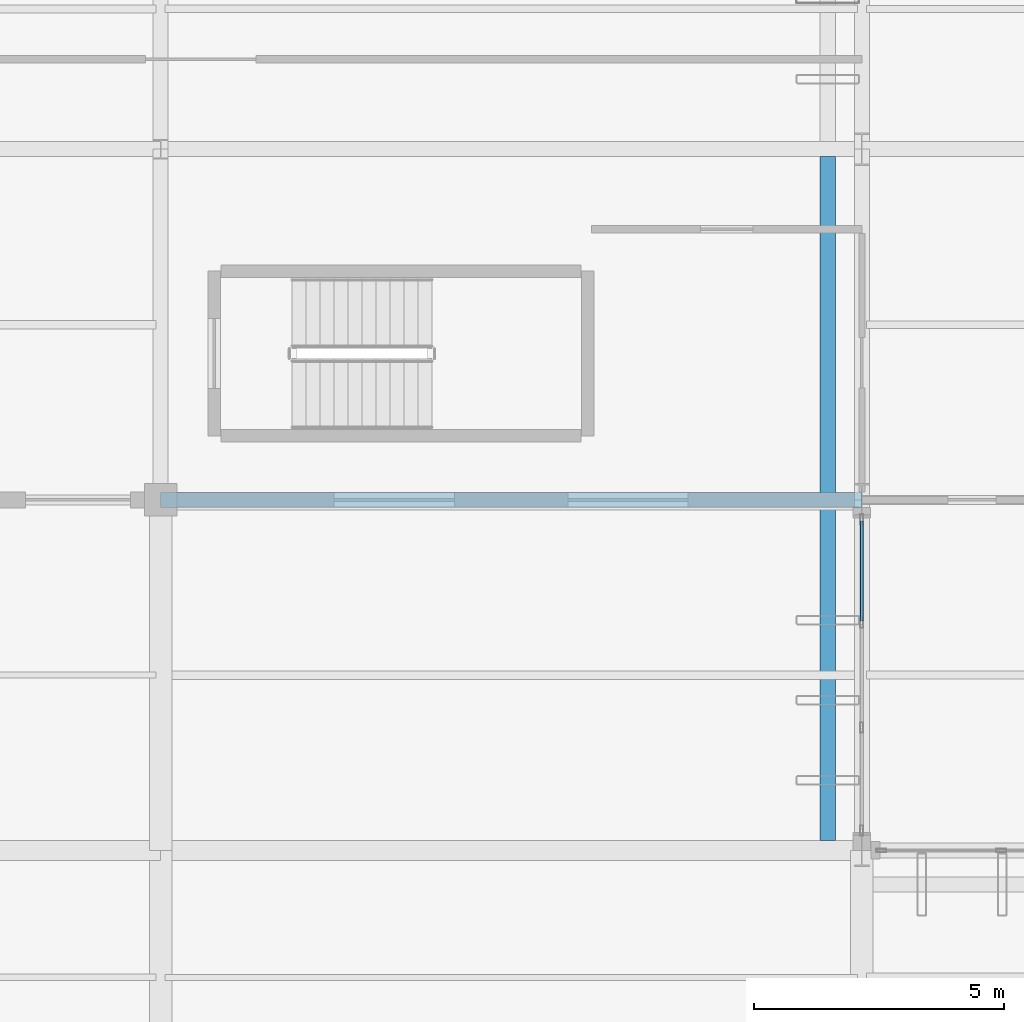
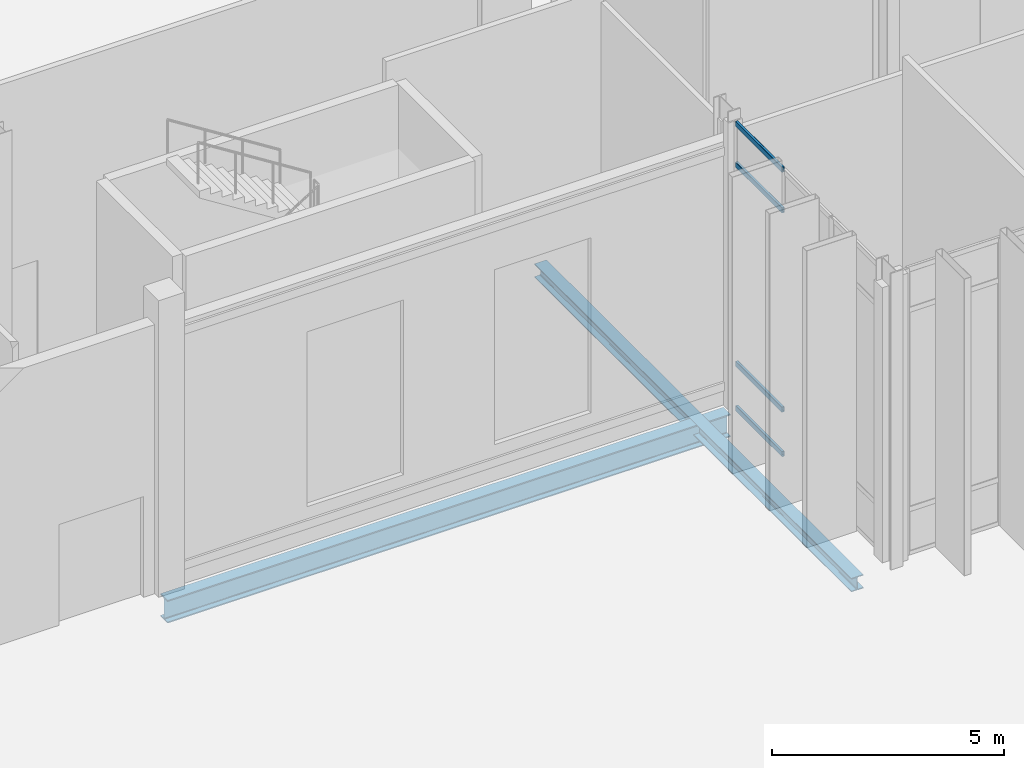
# One storey, part 40 of 176: 4 members, 2 beams, 1 element without a shape of its own.
"""IFC4 building model written with IfcOpenShell, lengths in metres."""

from ifc_helpers import new_model, si_unit, direction, frame, origin, origin_2d, place, context, subcontext, project, spatial, hollow_rectangle, i_section, extrude, material, layer, layer_set, material_profile, profile_set, type_object, element, aggregate, save


model = new_model("IFC4")

# Units and contexts
model_context = context("Model", 3, precision=1e-05, world=origin(), true_north=direction((0.0, 1.0)))
body_context = subcontext(model_context, "Body", "Model", "MODEL_VIEW")
ifc_project = project(units=[si_unit("LENGTHUNIT", "METRE"), si_unit("AREAUNIT", "SQUARE_METRE"), si_unit("VOLUMEUNIT", "CUBIC_METRE"), si_unit("PLANEANGLEUNIT", "RADIAN"), si_unit("MASSUNIT", "GRAM", prefix="KILO")], contexts=[model_context])

# Site, building, storey
site_placement = place(None, origin())
site = spatial("IfcSite", under=ifc_project, at=site_placement, CompositionType="ELEMENT")
building_placement = place(site_placement, origin())
building = spatial("IfcBuilding", under=site, at=building_placement, Name="Vekula Escarpment Museum", CompositionType="ELEMENT")
storey_placement = place(building_placement, origin())
storey = spatial("IfcBuildingStorey", under=building, at=storey_placement, Name="L01", CompositionType="ELEMENT", Elevation=0.0)

# Beams
ifc_material_1 = material(Name="Steel S355", Category="steel")
ifc_material_profile_1 = material_profile(ifc_material_1, i_section(OverallWidth=0.300048828125, OverallDepth=0.360107421875, WebThickness=0.012451171875, FlangeThickness=0.0224609375, FilletRadius=0.027099609375, at=origin_2d()), Name="HEB 360")
ifc_profile_set_1 = profile_set([ifc_material_profile_1], Name="Steel S355")
beam_type_1 = type_object("IfcBeamType", Name="BM-GIRD-HEB360", PredefinedType="BEAM", material=ifc_profile_set_1)
beam_1_placement = place(storey_placement, frame((69.320068359375, 45.800048828125, -0.47998046875), z_axis=(0.0, 1.0, 0.0), x_axis=(-1.0, 0.0, 0.0)))
element("IfcBeam", 1, at=beam_1_placement, inside=storey, type_object=beam_type_1, Name="Solar Fin Sill Girder 017", PredefinedType="BEAM", context=body_context, shape_type="SweptSolid", body=[
    extrude(i_section(OverallWidth=0.300048828125, OverallDepth=0.360107421875, WebThickness=0.012451171875, FlangeThickness=0.0224609375, FilletRadius=0.027099609375, at=origin_2d()), origin(), (0.0, 0.0, 1.0), 13.64990234375),
])
ifc_material_2 = material(Name="Steel S355", Category="steel")
ifc_material_profile_2 = material_profile(ifc_material_2, i_section(OverallWidth=0.300048828125, OverallDepth=0.60009765625, WebThickness=0.015380859375, FlangeThickness=0.030029296875, FilletRadius=0.027099609375, at=origin_2d()), Name="HEB 600")
ifc_profile_set_2 = profile_set([ifc_material_profile_2], Name="Steel S355")
beam_type_2 = type_object("IfcBeamType", Name="BM-GIRD-HEB600", PredefinedType="BEAM", material=ifc_profile_set_2)
beam_2_placement = place(storey_placement, frame((56.0, 52.60009765625, -0.60009765625), z_axis=(1.0, 0.0, 0.0), x_axis=(0.0, 1.0, 0.0)))
element("IfcBeam", 2, at=beam_2_placement, inside=storey, type_object=beam_type_2, Name="Beam X L01 0145", PredefinedType="BEAM", context=body_context, shape_type="SweptSolid", body=[
    extrude(i_section(OverallWidth=0.300048828125, OverallDepth=0.60009765625, WebThickness=0.015380859375, FlangeThickness=0.030029296875, FilletRadius=0.027099609375, at=origin_2d()), origin(), (0.0, 0.0, 1.0), 14.0),
])

# Curtain wall, members
ifc_material_3 = material(Name="Aluminium thermally broken framing", Category="aluminium")
ifc_layer = layer(ifc_material_3, 0.199951171875)
ifc_layer_set = layer_set([ifc_layer], Name="Aluminium thermally broken framing")
curtain_wall_type = type_object("IfcCurtainWallType", Name="CW-SYS-03", PredefinedType="NOTDEFINED", material=ifc_layer_set)
curtain_wall_placement = place(storey_placement, origin())
curtain_wall = element("IfcCurtainWall", 3, at=curtain_wall_placement, inside=storey, type_object=curtain_wall_type, Name="Curtain Wall CW-L01-043", PredefinedType="NOTDEFINED")
ifc_material_4 = material(Name="Aluminium anodized transom", Category="aluminium")
ifc_material_profile_3 = material_profile(ifc_material_4, hollow_rectangle(XDim=0.06494140625, YDim=0.139892578125, WallThickness=0.00390625, InnerFilletRadius=0.00390625, OuterFilletRadius=0.008056640625, at=origin_2d()), Name="ALU 140x65x4")
ifc_profile_set_3 = profile_set([ifc_material_profile_3], Name="Aluminium anodized transom")
member_type = type_object("IfcMemberType", Name="CW-TRN-140", PredefinedType="USERDEFINED", material=ifc_profile_set_3)
member_1_placement = place(storey_placement, frame((70.0, 52.175048828125, 0.032470703125), z_axis=(0.0, -1.0, 0.0), x_axis=(1.0, 0.0, 0.0)))
member_1 = element("IfcMember", 4, at=member_1_placement, type_object=member_type, Name="CW-03 transom 1.1", ObjectType="TRANSOM", PredefinedType="USERDEFINED", context=body_context, shape_type="SweptSolid", body=[
    extrude(hollow_rectangle(XDim=0.06494140625, YDim=0.139892578125, WallThickness=0.00390625, InnerFilletRadius=0.00390625, OuterFilletRadius=0.008056640625, at=origin_2d()), origin(), (0.0, 0.0, 1.0), 1.995849609375),
])
member_2_placement = place(storey_placement, frame((70.0, 52.175048828125, 1.199951171875), z_axis=(0.0, -1.0, 0.0), x_axis=(1.0, 0.0, 0.0)))
member_2 = element("IfcMember", 5, at=member_2_placement, type_object=member_type, Name="CW-03 transom 1.2", ObjectType="TRANSOM", PredefinedType="USERDEFINED", context=body_context, shape_type="SweptSolid", body=[
    extrude(hollow_rectangle(XDim=0.06494140625, YDim=0.139892578125, WallThickness=0.00390625, InnerFilletRadius=0.00390625, OuterFilletRadius=0.008056640625, at=origin_2d()), origin(), (0.0, 0.0, 1.0), 1.995849609375),
])
member_3_placement = place(storey_placement, frame((70.0, 52.175048828125, 6.43994140625), z_axis=(0.0, -1.0, 0.0), x_axis=(1.0, 0.0, 0.0)))
member_3 = element("IfcMember", 6, at=member_3_placement, type_object=member_type, Name="CW-03 transom 1.3", ObjectType="TRANSOM", PredefinedType="USERDEFINED", context=body_context, shape_type="SweptSolid", body=[
    extrude(hollow_rectangle(XDim=0.06494140625, YDim=0.139892578125, WallThickness=0.00390625, InnerFilletRadius=0.00390625, OuterFilletRadius=0.008056640625, at=origin_2d()), origin(), (0.0, 0.0, 1.0), 1.995849609375),
])
member_4_placement = place(storey_placement, frame((70.0, 52.175048828125, 7.507568359375), z_axis=(0.0, -1.0, 0.0), x_axis=(1.0, 0.0, 0.0)))
member_4 = element("IfcMember", 7, at=member_4_placement, type_object=member_type, Name="CW-03 transom 1.4", ObjectType="TRANSOM", PredefinedType="USERDEFINED", context=body_context, shape_type="SweptSolid", body=[
    extrude(hollow_rectangle(XDim=0.06494140625, YDim=0.139892578125, WallThickness=0.00390625, InnerFilletRadius=0.00390625, OuterFilletRadius=0.008056640625, at=origin_2d()), origin(), (0.0, 0.0, 1.0), 1.995849609375),
])
aggregate(curtain_wall, [member_1, member_2, member_3, member_4])

save(model, "model.ifc")
